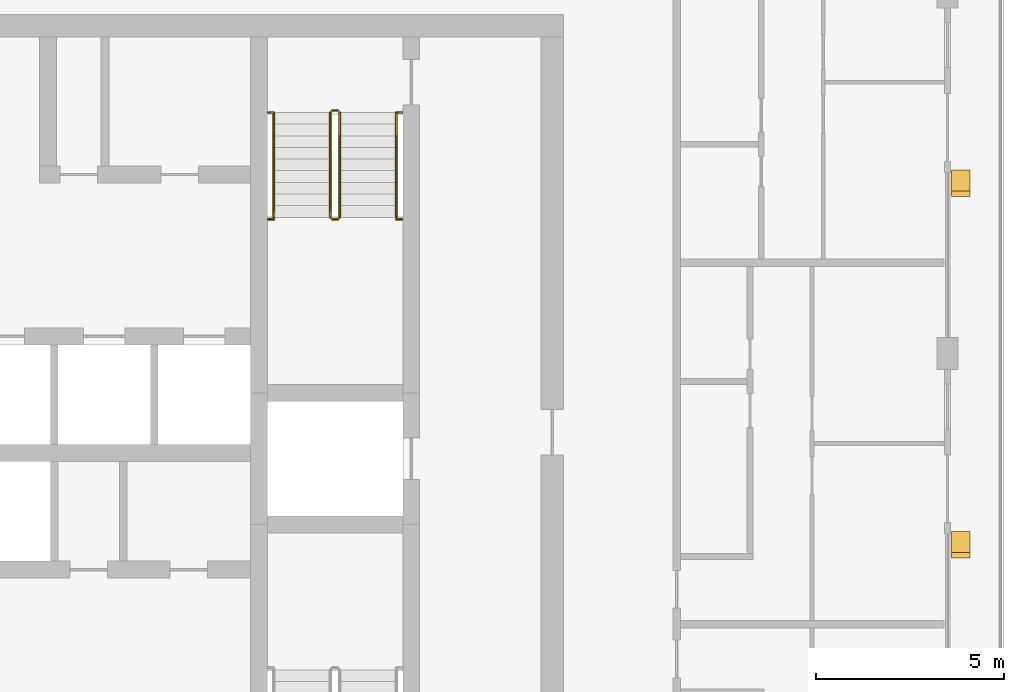
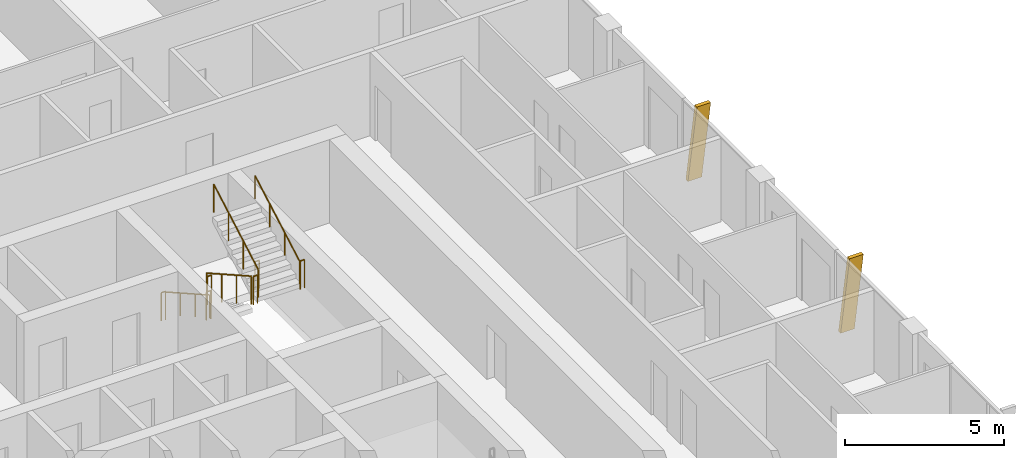
# One storey, part 21 of 22: 10 railings, 2 shading devices.
"""IFC4 building model written with IfcOpenShell, lengths in metres."""

from ifc_helpers import new_model, si_unit, direction, frame, origin, origin_2d, place, context, subcontext, project, spatial, polyline, circle, outline, extrude, material, type_object, element, save


model = new_model("IFC4")

# Units and contexts
model_context = context("Model", 3, precision=1e-05, world=origin(), true_north=direction((0.0, 1.0)))
body_context = subcontext(model_context, "Body", "Model", "MODEL_VIEW")
ifc_project = project(units=[si_unit("LENGTHUNIT", "METRE"), si_unit("AREAUNIT", "SQUARE_METRE"), si_unit("VOLUMEUNIT", "CUBIC_METRE"), si_unit("PLANEANGLEUNIT", "RADIAN"), si_unit("MASSUNIT", "GRAM", prefix="KILO")], contexts=[model_context])

# Site, building, storey
site_placement = place(None, origin())
site = spatial("IfcSite", under=ifc_project, at=site_placement, CompositionType="ELEMENT")
building_placement = place(site_placement, origin())
building = spatial("IfcBuilding", under=site, at=building_placement, Name="Madar Terraces", CompositionType="ELEMENT")
storey_placement = place(building_placement, frame((0.0, 0.0, 256.199951171875)))
storey = spatial("IfcBuildingStorey", under=building, at=storey_placement, Name="L67", CompositionType="ELEMENT", Elevation=256.199951171875)

# Shading devices
ifc_material_1 = material(Name="Aluminium, black anodised", Category="aluminium")
shading_device_type = type_object("IfcShadingDeviceType", Name="Facade fin blade 140 x 500", PredefinedType="USERDEFINED", material=ifc_material_1)
shading_device_1_placement = place(storey_placement, frame((57.949951171875, 23.929931640625, 0.0), z_axis=(0.0, 0.0, 1.0), x_axis=(0.0, 1.0, 0.0)))
element("IfcShadingDevice", 1, at=shading_device_1_placement, inside=storey, type_object=shading_device_type, Name="FIN L67 E2", ObjectType="FIN", PredefinedType="USERDEFINED", context=body_context, shape_type="SweptSolid", body=[
    extrude(outline(polyline([(0.0, 0.0), (0.14013671875, 0.0), (-0.42431640625, 3.199951171875), (-0.564208984375, 3.199951171875), (0.0, 0.0)])), frame((0.0, 0.25, 0.0), z_axis=(0.0, -1.0, 0.0), x_axis=(1.0, 0.0, 0.0)), (0.0, 0.0, 1.0), 0.5),
])
shading_device_2_placement = place(storey_placement, frame((57.949951171875, 33.530029296875, 0.0), z_axis=(0.0, 0.0, 1.0), x_axis=(0.0, 1.0, 0.0)))
element("IfcShadingDevice", 2, at=shading_device_2_placement, inside=storey, type_object=shading_device_type, Name="FIN L67 E3", ObjectType="FIN", PredefinedType="USERDEFINED", context=body_context, shape_type="SweptSolid", body=[
    extrude(outline(polyline([(0.0, 0.0), (0.139892578125, 0.0), (-0.42431640625, 3.199951171875), (-0.564208984375, 3.199951171875), (0.0, 0.0)])), frame((0.0, 0.25, 0.0), z_axis=(0.0, -1.0, 0.0), x_axis=(1.0, 0.0, 0.0)), (0.0, 0.0, 1.0), 0.5),
])

# Railings
ifc_material_2 = material(Name="Stainless steel railing", Category="steel")
railing_type_1 = type_object("IfcRailingType", Name="Stair guard 1100", PredefinedType="GUARDRAIL", material=ifc_material_2)
railing_1_placement = place(storey_placement, frame((41.199951171875, 35.199951171875, 0.175048828125)))
element("IfcRailing", 3, at=railing_1_placement, inside=storey, type_object=railing_type_1, Name="L67 ST2 stair guard 1", PredefinedType="GUARDRAIL", context=body_context, shape_type="SweptSolid", body=[
    extrude(circle(Radius=0.02392578125, at=origin_2d()), frame((0.0, 0.0, 1.076171875), z_axis=(0.0, -0.870833779661, 0.491577591232), x_axis=(1.0, 0.0, 0.0)), (0.0, 0.0, 1.0), 3.203857421875),
    extrude(circle(Radius=0.02099609375, at=origin_2d()), origin(), (0.0, 0.0, 1.0), 1.052001953125),
    extrude(circle(Radius=0.02099609375, at=origin_2d()), frame((0.0, -0.929931640625, 0.52490234375)), (0.0, 0.0, 1.0), 1.052001953125),
    extrude(circle(Radius=0.02099609375, at=origin_2d()), frame((0.0, -1.860107421875, 1.050048828125)), (0.0, 0.0, 1.0), 1.052001953125),
    extrude(circle(Radius=0.02099609375, at=origin_2d()), frame((0.0, -2.7900390625, 1.574951171875)), (0.0, 0.0, 1.0), 1.052001953125),
])
railing_2_placement = place(storey_placement, frame((41.25, 32.360107421875, 1.75)))
element("IfcRailing", 4, at=railing_2_placement, inside=storey, type_object=railing_type_1, Name="L67 ST2 stair guard 2", PredefinedType="GUARDRAIL", context=body_context, shape_type="SweptSolid", body=[
    extrude(circle(Radius=0.02392578125, at=origin_2d()), frame((0.0, 0.0, 1.076171875), z_axis=(1.0, 0.0, 0.0), x_axis=(0.0, 1.0, 0.0)), (0.0, 0.0, 1.0), 0.14990234375),
    extrude(circle(Radius=0.02099609375, at=origin_2d()), origin(), (0.0, 0.0, 1.0), 1.052001953125),
    extrude(circle(Radius=0.02099609375, at=origin_2d()), frame((0.14990234375, 0.0, 0.0)), (0.0, 0.0, 1.0), 1.052001953125),
])
railing_3_placement = place(storey_placement, frame((41.449951171875, 32.409912109375, 1.925048828125)))
element("IfcRailing", 5, at=railing_3_placement, inside=storey, type_object=railing_type_1, Name="L67 ST2 stair guard 3", PredefinedType="GUARDRAIL", context=body_context, shape_type="SweptSolid", body=[
    extrude(circle(Radius=0.02392578125, at=origin_2d()), frame((0.0, 0.0, 1.076171875), z_axis=(0.0, 0.870833779661, 0.491577591232), x_axis=(-1.0, 0.0, 0.0)), (0.0, 0.0, 1.0), 3.203857421875),
    extrude(circle(Radius=0.02099609375, at=origin_2d()), origin(), (0.0, 0.0, 1.0), 1.052001953125),
    extrude(circle(Radius=0.02099609375, at=origin_2d()), frame((0.0, 0.929931640625, 0.52490234375)), (0.0, 0.0, 1.0), 1.052001953125),
    extrude(circle(Radius=0.02099609375, at=origin_2d()), frame((0.0, 1.860107421875, 1.050048828125)), (0.0, 0.0, 1.0), 1.052001953125),
    extrude(circle(Radius=0.02099609375, at=origin_2d()), frame((0.0, 2.7900390625, 1.574951171875)), (0.0, 0.0, 1.0), 1.052001953125),
])
railing_4_placement = place(storey_placement, frame((41.25, 35.25, 0.0)))
element("IfcRailing", 6, at=railing_4_placement, inside=storey, type_object=railing_type_1, Name="L67 ST2 stair guard 4", PredefinedType="GUARDRAIL", context=body_context, shape_type="SweptSolid", body=[
    extrude(circle(Radius=0.02392578125, at=origin_2d()), frame((0.0, 0.0, 1.076171875), z_axis=(1.0, 0.0, 0.0), x_axis=(0.0, 1.0, 0.0)), (0.0, 0.0, 1.0), 0.14990234375),
    extrude(circle(Radius=0.02099609375, at=origin_2d()), origin(), (0.0, 0.0, 1.0), 1.052001953125),
    extrude(circle(Radius=0.02099609375, at=origin_2d()), frame((0.14990234375, 0.0, 0.0)), (0.0, 0.0, 1.0), 1.052001953125),
])
for number, where, name in (
    (7, (39.544921875, 32.360107421875, 1.75), "L67 stair guard seat 1"),
    (8, (42.949951171875, 32.360107421875, 1.75), "L67 stair guard seat 2"),
    (9, (39.544921875, 35.199951171875, 0.0), "L67 stair guard floor 1"),
    (10, (42.949951171875, 35.199951171875, 0.0), "L67 stair guard floor 2"),
):
    element("IfcRailing", number, at=place(storey_placement, frame(where)), inside=storey, type_object=railing_type_1, Name=name, PredefinedType="GUARDRAIL", context=body_context, shape_type="SweptSolid", body=[
        extrude(circle(Radius=0.02392578125, at=origin_2d()), frame((0.0, 0.0, 1.076171875), z_axis=(1.0, 0.0, 0.0), x_axis=(0.0, 1.0, 0.0)), (0.0, 0.0, 1.0), 0.155029296875),
        extrude(circle(Radius=0.02099609375, at=origin_2d()), origin(), (0.0, 0.0, 1.0), 1.052001953125),
        extrude(circle(Radius=0.02099609375, at=origin_2d()), frame((0.155029296875, 0.0, 0.0)), (0.0, 0.0, 1.0), 1.052001953125),
    ])
ifc_material_3 = material(Name="Stainless steel railing", Category="steel")
railing_type_2 = type_object("IfcRailingType", Name="Stair handrail 900", PredefinedType="HANDRAIL", material=ifc_material_3)
railing_5_placement = place(storey_placement, frame((39.699951171875, 35.199951171875, 0.175048828125)))
element("IfcRailing", 11, at=railing_5_placement, inside=storey, type_object=railing_type_2, Name="L67 ST2 stair handrail 1", PredefinedType="HANDRAIL", context=body_context, shape_type="SweptSolid", body=[
    extrude(circle(Radius=0.02392578125, at=origin_2d()), frame((0.0, 0.0, 0.8759765625), z_axis=(0.0, -0.870833779661, 0.491577591232), x_axis=(1.0, 0.0, 0.0)), (0.0, 0.0, 1.0), 3.203857421875),
    extrude(circle(Radius=0.02099609375, at=origin_2d()), origin(), (0.0, 0.0, 1.0), 0.851806640625),
    extrude(circle(Radius=0.02099609375, at=origin_2d()), frame((0.0, -0.929931640625, 0.52490234375)), (0.0, 0.0, 1.0), 0.851806640625),
    extrude(circle(Radius=0.02099609375, at=origin_2d()), frame((0.0, -1.860107421875, 1.050048828125)), (0.0, 0.0, 1.0), 0.851806640625),
    extrude(circle(Radius=0.02099609375, at=origin_2d()), frame((0.0, -2.7900390625, 1.574951171875)), (0.0, 0.0, 1.0), 0.851806640625),
])
railing_6_placement = place(storey_placement, frame((42.949951171875, 32.409912109375, 1.925048828125)))
element("IfcRailing", 12, at=railing_6_placement, inside=storey, type_object=railing_type_2, Name="L67 ST2 stair handrail 2", PredefinedType="HANDRAIL", context=body_context, shape_type="SweptSolid", body=[
    extrude(circle(Radius=0.02392578125, at=origin_2d()), frame((0.0, 0.0, 0.8759765625), z_axis=(0.0, 0.870833779661, 0.491577591232), x_axis=(-1.0, 0.0, 0.0)), (0.0, 0.0, 1.0), 3.203857421875),
    extrude(circle(Radius=0.02099609375, at=origin_2d()), origin(), (0.0, 0.0, 1.0), 0.851806640625),
    extrude(circle(Radius=0.02099609375, at=origin_2d()), frame((0.0, 0.929931640625, 0.52490234375)), (0.0, 0.0, 1.0), 0.851806640625),
    extrude(circle(Radius=0.02099609375, at=origin_2d()), frame((0.0, 1.860107421875, 1.050048828125)), (0.0, 0.0, 1.0), 0.851806640625),
    extrude(circle(Radius=0.02099609375, at=origin_2d()), frame((0.0, 2.7900390625, 1.574951171875)), (0.0, 0.0, 1.0), 0.851806640625),
])

save(model, "model.ifc")
